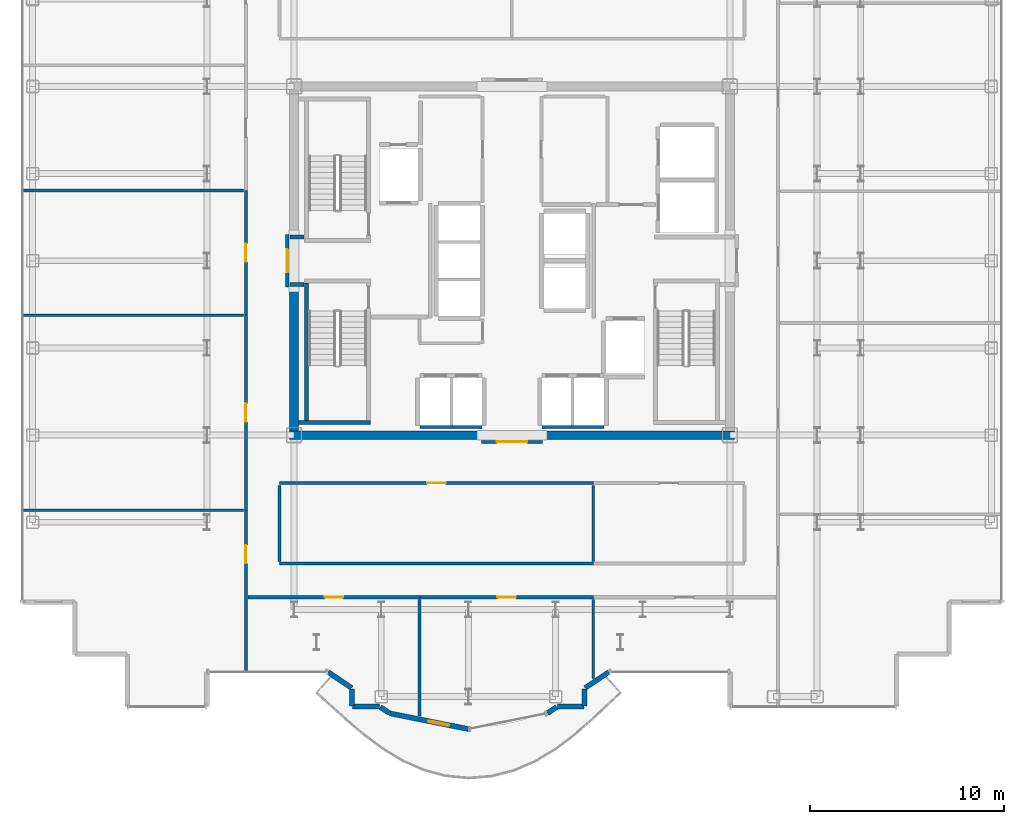
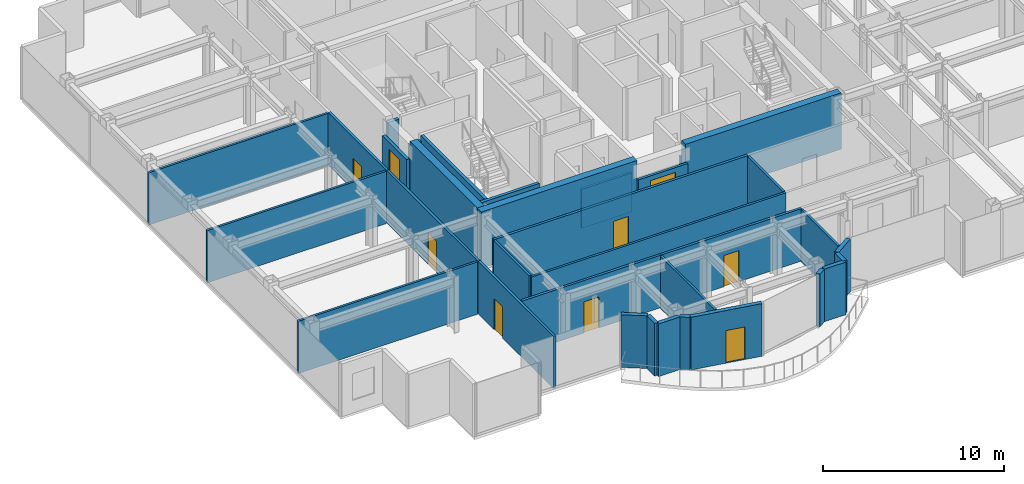
# One storey, part 14 of 20: 34 walls, 9 doors, 9 openings.
"""IFC4 building model written with IfcOpenShell, lengths in metres."""

from ifc_helpers import new_model, si_unit, direction, frame, frame_2d, origin, place, context, subcontext, project, spatial, rectangle, extrude, source, transform, mapped, material, layer, layer_set, type_object, element, fill, save


model = new_model("IFC4")

# Units and contexts
model_context = context("Model", 3, precision=1e-05, world=origin(), true_north=direction((0.0, 1.0)))
body_context = subcontext(model_context, "Body", "Model", "MODEL_VIEW")
ifc_project = project(units=[si_unit("LENGTHUNIT", "METRE"), si_unit("AREAUNIT", "SQUARE_METRE"), si_unit("VOLUMEUNIT", "CUBIC_METRE"), si_unit("PLANEANGLEUNIT", "RADIAN"), si_unit("MASSUNIT", "GRAM", prefix="KILO")], contexts=[model_context])

# Site, building, storey
site_placement = place(None, origin())
site = spatial("IfcSite", under=ifc_project, at=site_placement, CompositionType="ELEMENT")
building_placement = place(site_placement, origin())
building = spatial("IfcBuilding", under=site, at=building_placement, Name="Nefas-Gora Pilgrimage Tower", CompositionType="ELEMENT")
storey_placement = place(building_placement, frame((0.0, 0.0, 225.60009765625)))
storey = spatial("IfcBuildingStorey", under=building, at=storey_placement, Name="L56", CompositionType="ELEMENT", Elevation=225.60009765625)

# Walls
ifc_material_1 = material(Name="Concrete C50/60", Category="concrete")
ifc_layer_1 = layer(ifc_material_1, 0.449951171875)
ifc_layer_set_1 = layer_set([ifc_layer_1], Name="Concrete C50/60")
wall_type_1 = type_object("IfcWallType", Name="SW-CORE-450", PredefinedType="SHEAR", material=ifc_layer_set_1)
shared_shape_1 = source(origin(), body_context, "Body", "SweptSolid", [
    extrude(rectangle(XDim=9.925048828125, YDim=0.449951171875, at=frame_2d((4.96240234375, 0.0))), origin(), (0.0, 0.0, 1.0), 3.7998046875),
])
for number, where, z_axis, x_axis, name in (
    (1, (-11.47509765625, -9.0, 0.0), (0.0, 0.0, 1.0), (1.0, 0.0, 0.0), "L56 Core Shear Wall S-West"),
    (2, (1.550048828125, -9.0, 0.0), (0.0, 0.0, 1.0), (1.0, 0.0, 0.0), "L56 Core Shear Wall S-East"),
):
    element("IfcWall", number, at=place(storey_placement, frame(where, z_axis=z_axis, x_axis=x_axis)), inside=storey, type_object=wall_type_1, Name=name, PredefinedType="SHEAR", context=body_context, shape_type="MappedRepresentation", body=[
        mapped(shared_shape_1, transform((0.0, 0.0, 0.0), x_axis=(1.0, 0.0, 0.0), y_axis=(0.0, 1.0, 0.0), z_axis=(0.0, 0.0, 1.0), scale=1.0)),
    ])
shared_shape_2 = source(origin(), body_context, "Body", "SweptSolid", [
    extrude(rectangle(XDim=7.4248046875, YDim=0.449951171875, at=frame_2d((3.71240234375, 0.0))), origin(), (0.0, 0.0, 1.0), 3.7998046875),
])
wall_1_placement = place(storey_placement, frame((-11.25, -8.77490234375, 0.0), z_axis=(0.0, 0.0, 1.0), x_axis=(0.0, 1.0, 0.0)))
element("IfcWall", 3, at=wall_1_placement, inside=storey, type_object=wall_type_1, Name="L56 Core Shear Wall W-South", PredefinedType="SHEAR", context=body_context, shape_type="MappedRepresentation", body=[
    mapped(shared_shape_2, transform((0.0, 0.0, 0.0), x_axis=(1.0, 0.0, 0.0), y_axis=(0.0, 1.0, 0.0), z_axis=(0.0, 0.0, 1.0), scale=1.0)),
])
ifc_material_2 = material(Name="Precast concrete C40/50", Category="concrete")
ifc_layer_2 = layer(ifc_material_2, 0.260009765625)
ifc_layer_set_2 = layer_set([ifc_layer_2], Name="Precast concrete C40/50")
wall_type_2 = type_object("IfcWallType", Name="EW-PORTAL-260", PredefinedType="SOLIDWALL", material=ifc_layer_set_2)
shared_shape_3 = source(origin(), body_context, "Body", "SweptSolid", [
    extrude(rectangle(XDim=1.468994140625, YDim=0.260009765625, at=frame_2d((0.734375, 0.0))), origin(), (0.0, 0.0, 1.0), 3.5498046875),
])
for number, where, z_axis, x_axis, name in (
    (4, (-9.49462890625, -21.235595703125, 0.0), (0.0, 0.0, 1.0), (0.831461760506, -0.555581983884, 0.0), "L56 Lobe Shoulder Precast Spandrel Pier 30"),
    (5, (3.773193359375, -22.0517578125, 0.0), (0.0, 0.0, 1.0), (0.831461760506, 0.555581983884, 0.0), "L56 Lobe Shoulder Precast Spandrel Pier 38"),
):
    element("IfcWall", number, at=place(storey_placement, frame(where, z_axis=z_axis, x_axis=x_axis)), inside=storey, type_object=wall_type_2, Name=name, PredefinedType="SOLIDWALL", context=body_context, shape_type="MappedRepresentation", body=[
        mapped(shared_shape_3, transform((0.0, 0.0, 0.0), x_axis=(1.0, 0.0, 0.0), y_axis=(0.0, 1.0, 0.0), z_axis=(0.0, 0.0, 1.0), scale=1.0)),
    ])
shared_shape_4 = source(origin(), body_context, "Body", "SweptSolid", [
    extrude(rectangle(XDim=0.896728515625, YDim=0.260009765625, at=frame_2d((0.4482421875, 0.0))), origin(), (0.0, 0.0, 1.0), 3.5498046875),
])
for number, where, z_axis, x_axis, name in (
    (6, (-8.25, -22.09521484375, 0.0), (0.0, 0.0, 1.0), (0.0, -1.0, 0.0), "L56 Lobe Shoulder Precast Spandrel Pier 31"),
    (7, (3.75, -22.991943359375, 0.0), (0.0, 0.0, 1.0), (0.0, 1.0, 0.0), "L56 Lobe Shoulder Precast Spandrel Pier 37"),
):
    element("IfcWall", number, at=place(storey_placement, frame(where, z_axis=z_axis, x_axis=x_axis)), inside=storey, type_object=wall_type_2, Name=name, PredefinedType="SOLIDWALL", context=body_context, shape_type="MappedRepresentation", body=[
        mapped(shared_shape_4, transform((0.0, 0.0, 0.0), x_axis=(1.0, 0.0, 0.0), y_axis=(0.0, 1.0, 0.0), z_axis=(0.0, 0.0, 1.0), scale=1.0)),
    ])
shared_shape_5 = source(origin(), body_context, "Body", "SweptSolid", [
    extrude(rectangle(XDim=1.369873046875, YDim=0.260009765625, at=frame_2d((0.68505859375, 0.0))), origin(), (0.0, 0.0, 1.0), 3.5498046875),
])
for number, where, z_axis, x_axis, name in (
    (8, (-8.221923828125, -23.02001953125, 0.0), (0.0, 0.0, 1.0), (1.0, 0.0, 0.0), "L56 Lobe Shoulder Precast Spandrel Pier 32"),
    (9, (2.35205078125, -23.02001953125, 0.0), (0.0, 0.0, 1.0), (1.0, 0.0, 0.0), "L56 Lobe Shoulder Precast Spandrel Pier 36"),
):
    element("IfcWall", number, at=place(storey_placement, frame(where, z_axis=z_axis, x_axis=x_axis)), inside=storey, type_object=wall_type_2, Name=name, PredefinedType="SOLIDWALL", context=body_context, shape_type="MappedRepresentation", body=[
        mapped(shared_shape_5, transform((0.0, 0.0, 0.0), x_axis=(1.0, 0.0, 0.0), y_axis=(0.0, 1.0, 0.0), z_axis=(0.0, 0.0, 1.0), scale=1.0)),
    ])
shared_shape_6 = source(origin(), body_context, "Body", "SweptSolid", [
    extrude(rectangle(XDim=0.5654296875, YDim=0.260009765625, at=frame_2d((0.28271484375, 0.0))), origin(), (0.0, 0.0, 1.0), 3.5498046875),
])
for number, where, z_axis, x_axis, name in (
    (10, (-6.80078125, -23.03564453125, 0.0), (0.0, 0.0, 1.0), (0.831651492666, -0.555297933317, 0.0), "L56 Lobe Shoulder Precast Spandrel Pier 33"),
    (11, (1.83056640625, -23.349609375, 0.0), (0.0, 0.0, 1.0), (0.831651492666, 0.555297933317, 0.0), "L56 Lobe Shoulder Precast Spandrel Pier 35"),
):
    element("IfcWall", number, at=place(storey_placement, frame(where, z_axis=z_axis, x_axis=x_axis)), inside=storey, type_object=wall_type_2, Name=name, PredefinedType="SOLIDWALL", context=body_context, shape_type="MappedRepresentation", body=[
        mapped(shared_shape_6, transform((0.0, 0.0, 0.0), x_axis=(1.0, 0.0, 0.0), y_axis=(0.0, 1.0, 0.0), z_axis=(0.0, 0.0, 1.0), scale=1.0)),
    ])

# Wall, opening, door
shared_shape_7 = source(origin(), body_context, "Body", "SweptSolid", [
    extrude(rectangle(XDim=4.136962890625, YDim=0.260009765625, at=frame_2d((2.068359375, 0.0))), origin(), (0.0, 0.0, 1.0), 3.5498046875),
])
wall_2_placement = place(storey_placement, frame((-6.307373046875, -23.365234375, 0.0), z_axis=(0.0, 0.0, 1.0), x_axis=(0.980782170794, -0.195105954428, 0.0)))
wall_2 = element("IfcWall", 12, at=wall_2_placement, inside=storey, type_object=wall_type_2, Name="L56 Insulated Terrace Portal Wall 34", PredefinedType="SOLIDWALL", context=body_context, shape_type="MappedRepresentation", body=[
    mapped(shared_shape_7, transform((0.0, 0.0, 0.0), x_axis=(1.0, 0.0, 0.0), y_axis=(0.0, 1.0, 0.0), z_axis=(0.0, 0.0, 1.0), scale=1.0)),
])
opening_1_placement = place(wall_2_placement, frame((2.03369140625, 0.0, 0.0)))
opening_1 = element("IfcOpeningElement", 13, at=opening_1_placement, cuts=wall_2, Name="Opening ED-B1", PredefinedType="OPENING", context=body_context, shape_type="SweptSolid", body=[
    extrude(rectangle(XDim=1.10009765625, YDim=2.199951171875, at=frame_2d((0.550048828125, 1.10009765625))), frame((0.0, 0.139892578125, 0.0), z_axis=(0.0, -1.0, 0.0), x_axis=(1.0, 0.0, 0.0)), (0.0, 0.0, 1.0), 0.280029296875),
])
ifc_material_3 = material(Name="Thermally broken glazed aluminium balcony door", Category="aluminium")
door_type_1 = type_object("IfcDoorType", Name="DR-EXT-BAL-1100", OperationType="NOTDEFINED", PredefinedType="DOOR", material=ifc_material_3)
shared_shape_8 = source(origin(), body_context, "Body", "SweptSolid", [
    extrude(rectangle(XDim=1.10009765625, YDim=2.199951171875, at=frame_2d((0.550048828125, 1.10009765625))), frame((0.0, 0.02490234375, 0.0), z_axis=(0.0, -1.0, 0.0), x_axis=(1.0, 0.0, 0.0)), (0.0, 0.0, 1.0), 0.050048828125),
])
door_1_placement = place(opening_1_placement, origin())
door_1 = element("IfcDoor", 14, at=door_1_placement, inside=storey, type_object=door_type_1, Name="L56 Exterior Door (L56 S Lobe Wave Balcony)", OperationType="SINGLE_SWING_LEFT", OverallHeight=2.199951171875, OverallWidth=1.10009765625, PredefinedType="DOOR", context=body_context, shape_type="MappedRepresentation", body=[
    mapped(shared_shape_8, transform((0.0, 0.0, 0.0), x_axis=(1.0, 0.0, 0.0), y_axis=(0.0, 1.0, 0.0), z_axis=(0.0, 0.0, 1.0), scale=1.0)),
])
fill(opening_1, door_1)

# Walls
ifc_material_4 = material(Name="Concrete C45/55", Category="concrete")
ifc_layer_3 = layer(ifc_material_4, 0.199951171875)
ifc_layer_set_3 = layer_set([ifc_layer_3], Name="Concrete C45/55")
wall_type_3 = type_object("IfcWallType", Name="IW-STAIR-200", PredefinedType="SOLIDWALL", material=ifc_layer_set_3)
shared_shape_9 = source(origin(), body_context, "Body", "SweptSolid", [
    extrude(rectangle(XDim=7.10009765625, YDim=0.199951171875, at=frame_2d((3.550048828125, 0.0))), origin(), (0.0, 0.0, 1.0), 3.7998046875),
])
wall_3_placement = place(storey_placement, frame((-10.60009765625, -1.14990234375, 0.0), z_axis=(0.0, 0.0, 1.0), x_axis=(0.0, -1.0, 0.0)))
element("IfcWall", 15, at=wall_3_placement, inside=storey, type_object=wall_type_3, Name="L56 Stairwell Shear Wall ST-03-left", PredefinedType="SOLIDWALL", context=body_context, shape_type="MappedRepresentation", body=[
    mapped(shared_shape_9, transform((0.0, 0.0, 0.0), x_axis=(1.0, 0.0, 0.0), y_axis=(0.0, 1.0, 0.0), z_axis=(0.0, 0.0, 1.0), scale=1.0)),
])
shared_shape_10 = source(origin(), body_context, "Body", "SweptSolid", [
    extrude(rectangle(XDim=3.72998046875, YDim=0.199951171875, at=frame_2d((1.864990234375, 0.0))), origin(), (0.0, 0.0, 1.0), 3.7998046875),
])
wall_4_placement = place(storey_placement, frame((-11.030029296875, -8.35009765625, 0.0), z_axis=(0.0, 0.0, 1.0), x_axis=(1.0, 0.0, 0.0)))
element("IfcWall", 16, at=wall_4_placement, inside=storey, type_object=wall_type_3, Name="L56 Stairwell Shear Wall ST-03-far", PredefinedType="SOLIDWALL", context=body_context, shape_type="MappedRepresentation", body=[
    mapped(shared_shape_10, transform((0.0, 0.0, 0.0), x_axis=(1.0, 0.0, 0.0), y_axis=(0.0, 1.0, 0.0), z_axis=(0.0, 0.0, 1.0), scale=1.0)),
])
ifc_material_5 = material(Name="Gypsum acoustic stud partition")
ifc_layer_4 = layer(ifc_material_5, 0.159912109375)
ifc_layer_set_4 = layer_set([ifc_layer_4], Name="Gypsum acoustic stud partition")
wall_type_4 = type_object("IfcWallType", Name="IW-CORR-160", PredefinedType="PARTITIONING", material=ifc_layer_set_4)
shared_shape_11 = source(origin(), body_context, "Body", "SweptSolid", [
    extrude(rectangle(XDim=3.199951171875, YDim=0.159912109375, at=frame_2d((1.60009765625, 0.0))), origin(), (0.0, 0.0, 1.0), 2.625),
])
for number, where, z_axis, x_axis, name in (
    (17, (-4.75, -8.580078125, 0.0), (0.0, 0.0, 1.0), (1.0, 0.0, 0.0), "L56 Hoistway Wall PL2-W-S"),
    (18, (1.550048828125, -8.580078125, 0.0), (0.0, 0.0, 1.0), (1.0, 0.0, 0.0), "L56 Hoistway Wall PL2-E-S"),
):
    element("IfcWall", number, at=place(storey_placement, frame(where, z_axis=z_axis, x_axis=x_axis)), inside=storey, type_object=wall_type_4, Name=name, PredefinedType="PARTITIONING", context=body_context, shape_type="MappedRepresentation", body=[
        mapped(shared_shape_11, transform((0.0, 0.0, 0.0), x_axis=(1.0, 0.0, 0.0), y_axis=(0.0, 1.0, 0.0), z_axis=(0.0, 0.0, 1.0), scale=1.0)),
    ])
ifc_material_6 = material(Name="Gypsum fire-rated shaftwall")
ifc_layer_5 = layer(ifc_material_6, 0.199951171875)
ifc_layer_set_5 = layer_set([ifc_layer_5], Name="Gypsum fire-rated shaftwall")
wall_type_5 = type_object("IfcWallType", Name="IW-FFLOB-200", PredefinedType="PARTITIONING", material=ifc_layer_set_5)
shared_shape_12 = source(origin(), body_context, "Body", "SweptSolid", [
    extrude(rectangle(XDim=0.719970703125, YDim=0.199951171875, at=frame_2d((0.35986328125, 0.0))), origin(), (0.0, 0.0, 1.0), 3.534912109375),
])
for number, where, z_axis, x_axis, name in (
    (19, (-11.4599609375, 1.219970703125, 0.0), (0.0, 0.0, 1.0), (1.0, 0.0, 0.0), "L56 FF Lobby West Throat N Wall 7"),
    (20, (-11.4599609375, -1.219970703125, 0.0), (0.0, 0.0, 1.0), (1.0, 0.0, 0.0), "L56 FF Lobby West Throat S Wall 8"),
):
    element("IfcWall", number, at=place(storey_placement, frame(where, z_axis=z_axis, x_axis=x_axis)), inside=storey, type_object=wall_type_5, Name=name, PredefinedType="PARTITIONING", context=body_context, shape_type="MappedRepresentation", body=[
        mapped(shared_shape_12, transform((0.0, 0.0, 0.0), x_axis=(1.0, 0.0, 0.0), y_axis=(0.0, 1.0, 0.0), z_axis=(0.0, 0.0, 1.0), scale=1.0)),
    ])
ifc_material_7 = material(Name="Gypsum twin-stud partition")
ifc_layer_6 = layer(ifc_material_7, 0.139892578125)
ifc_layer_set_6 = layer_set([ifc_layer_6], Name="Gypsum twin-stud partition")
wall_type_6 = type_object("IfcWallType", Name="IW-UNIT-140", PredefinedType="PARTITIONING", material=ifc_layer_set_6)
shared_shape_13 = source(origin(), body_context, "Body", "SweptSolid", [
    extrude(rectangle(XDim=11.429931640625, YDim=0.139892578125, at=frame_2d((5.71484375, 0.0))), origin(), (0.0, 0.0, 1.0), 3.534912109375),
])
for number, where, z_axis, x_axis, name in (
    (21, (-25.2900390625, -12.87744140625, 0.0), (0.0, 0.0, 1.0), (1.0, 0.0, 0.0), "L56 Pilgrim Floor Concierge Foyer Partition Wall 29"),
    (22, (-25.2900390625, -2.804931640625, 0.0), (0.0, 0.0, 1.0), (1.0, 0.0, 0.0), "L56 Pilgrim Floor Concierge Foyer Partition Wall 30"),
    (23, (-25.2900390625, 3.63134765625, 0.0), (0.0, 0.0, 1.0), (1.0, 0.0, 0.0), "L56 Pilgrim Tea and Beverage Pantry Partition Wall 35"),
):
    element("IfcWall", number, at=place(storey_placement, frame(where, z_axis=z_axis, x_axis=x_axis)), inside=storey, type_object=wall_type_6, Name=name, PredefinedType="PARTITIONING", context=body_context, shape_type="MappedRepresentation", body=[
        mapped(shared_shape_13, transform((0.0, 0.0, 0.0), x_axis=(1.0, 0.0, 0.0), y_axis=(0.0, 1.0, 0.0), z_axis=(0.0, 0.0, 1.0), scale=1.0)),
    ])
shared_shape_14 = source(origin(), body_context, "Body", "SweptSolid", [
    extrude(rectangle(XDim=3.929931640625, YDim=0.139892578125, at=frame_2d((1.96484375, 0.0))), origin(), (0.0, 0.0, 1.0), 3.534912109375),
])
for number, where, z_axis, x_axis, name in (
    (24, (-12.0, -15.52001953125, 0.0), (0.0, 0.0, 1.0), (0.0, 1.0, 0.0), "L56 Pilgrim Contemplative Lounge Partition Wall 63"),
    (25, (4.195068359375, -15.52001953125, 0.0), (0.0, 0.0, 1.0), (0.0, 1.0, 0.0), "L56 Pilgrim Contemplative Lounge Partition Wall 64"),
):
    element("IfcWall", number, at=place(storey_placement, frame(where, z_axis=z_axis, x_axis=x_axis)), inside=storey, type_object=wall_type_6, Name=name, PredefinedType="PARTITIONING", context=body_context, shape_type="MappedRepresentation", body=[
        mapped(shared_shape_14, transform((0.0, 0.0, 0.0), x_axis=(1.0, 0.0, 0.0), y_axis=(0.0, 1.0, 0.0), z_axis=(0.0, 0.0, 1.0), scale=1.0)),
    ])

# Wall, opening, door
shared_shape_15 = source(origin(), body_context, "Body", "SweptSolid", [
    extrude(rectangle(XDim=2.7001953125, YDim=0.199951171875, at=frame_2d((1.35009765625, 0.0))), origin(), (0.0, 0.0, 1.0), 2.625),
])
wall_5_placement = place(storey_placement, frame((-11.60009765625, -1.35009765625, 0.0), z_axis=(0.0, 0.0, 1.0), x_axis=(0.0, 1.0, 0.0)))
wall_5 = element("IfcWall", 26, at=wall_5_placement, inside=storey, type_object=wall_type_5, Name="L56 FF Lobby West Portal Wall 4", PredefinedType="PARTITIONING", context=body_context, shape_type="MappedRepresentation", body=[
    mapped(shared_shape_15, transform((0.0, 0.0, 0.0), x_axis=(1.0, 0.0, 0.0), y_axis=(0.0, 1.0, 0.0), z_axis=(0.0, 0.0, 1.0), scale=1.0)),
])
opening_2_placement = place(wall_5_placement, frame((0.75, 0.0, 0.0)))
opening_2 = element("IfcOpeningElement", 27, at=opening_2_placement, cuts=wall_5, Name="Opening ID-FF1", PredefinedType="OPENING", context=body_context, shape_type="SweptSolid", body=[
    extrude(rectangle(XDim=1.199951171875, YDim=2.14990234375, at=frame_2d((0.60009765625, 1.074951171875))), frame((0.0, 0.10986328125, 0.0), z_axis=(0.0, -1.0, 0.0), x_axis=(1.0, 0.0, 0.0)), (0.0, 0.0, 1.0), 0.219970703125),
])
ifc_material_8 = material(Name="Smoke-sealed steel firefighting lobby door", Category="steel")
door_type_2 = type_object("IfcDoorType", Name="DR-INT-FFLOB-1200", OperationType="NOTDEFINED", PredefinedType="DOOR", material=ifc_material_8)
shared_shape_16 = source(origin(), body_context, "Body", "SweptSolid", [
    extrude(rectangle(XDim=1.199951171875, YDim=2.14990234375, at=frame_2d((0.60009765625, 1.074951171875))), frame((0.0, 0.02490234375, 0.0), z_axis=(0.0, -1.0, 0.0), x_axis=(1.0, 0.0, 0.0)), (0.0, 0.0, 1.0), 0.050048828125),
])
door_2_placement = place(opening_2_placement, origin())
door_2 = element("IfcDoor", 28, at=door_2_placement, inside=storey, type_object=door_type_2, Name="L56 FF Lobby West Portal Door 2", OperationType="SINGLE_SWING_RIGHT", OverallHeight=2.14990234375, OverallWidth=1.199951171875, PredefinedType="DOOR", context=body_context, shape_type="MappedRepresentation", body=[
    mapped(shared_shape_16, transform((0.0, 0.0, 0.0), x_axis=(1.0, 0.0, 0.0), y_axis=(0.0, 1.0, 0.0), z_axis=(0.0, 0.0, 1.0), scale=1.0)),
])
fill(opening_2, door_2)

shared_shape_17 = source(origin(), body_context, "Body", "SweptSolid", [
    extrude(rectangle(XDim=3.16015625, YDim=0.159912109375, at=frame_2d((1.580078125, 0.0))), origin(), (0.0, 0.0, 1.0), 2.625),
])
wall_6_placement = place(storey_placement, frame((-1.580078125, -9.35009765625, 0.0), z_axis=(0.0, 0.0, 1.0), x_axis=(1.0, 0.0, 0.0)))
wall_6 = element("IfcWall", 29, at=wall_6_placement, inside=storey, type_object=wall_type_4, Name="L56 Central Lift Lobby South Portal Wall 16", PredefinedType="PARTITIONING", context=body_context, shape_type="MappedRepresentation", body=[
    mapped(shared_shape_17, transform((0.0, 0.0, 0.0), x_axis=(1.0, 0.0, 0.0), y_axis=(0.0, 1.0, 0.0), z_axis=(0.0, 0.0, 1.0), scale=1.0)),
])
opening_3_placement = place(wall_6_placement, frame((0.780029296875, 0.0, 0.0)))
opening_3 = element("IfcOpeningElement", 30, at=opening_3_placement, cuts=wall_6, Name="Opening ID-HL1", PredefinedType="OPENING", context=body_context, shape_type="SweptSolid", body=[
    extrude(rectangle(XDim=1.60009765625, YDim=2.300048828125, at=frame_2d((0.800048828125, 1.14990234375))), frame((0.0, 0.08984375, 0.0), z_axis=(0.0, -1.0, 0.0), x_axis=(1.0, 0.0, 0.0)), (0.0, 0.0, 1.0), 0.179931640625),
])
ifc_material_9 = material(Name="Double acoustic timber assembly hall door", Category="wood")
door_type_3 = type_object("IfcDoorType", Name="DR-INT-HALL-1600", OperationType="DOUBLE_DOOR_SINGLE_SWING", PredefinedType="DOOR", material=ifc_material_9)
shared_shape_18 = source(origin(), body_context, "Body", "SweptSolid", [
    extrude(rectangle(XDim=1.60009765625, YDim=2.300048828125, at=frame_2d((0.800048828125, 1.14990234375))), frame((0.0, 0.02490234375, 0.0), z_axis=(0.0, -1.0, 0.0), x_axis=(1.0, 0.0, 0.0)), (0.0, 0.0, 1.0), 0.050048828125),
])
door_3_placement = place(opening_3_placement, origin())
door_3 = element("IfcDoor", 31, at=door_3_placement, inside=storey, type_object=door_type_3, Name="L56 Central Lift Lobby South Portal Door 6", OperationType="DOUBLE_DOOR_SINGLE_SWING", OverallHeight=2.300048828125, OverallWidth=1.60009765625, PredefinedType="DOOR", context=body_context, shape_type="MappedRepresentation", body=[
    mapped(shared_shape_18, transform((0.0, 0.0, 0.0), x_axis=(1.0, 0.0, 0.0), y_axis=(0.0, 1.0, 0.0), z_axis=(0.0, 0.0, 1.0), scale=1.0)),
])
fill(opening_3, door_3)

shared_shape_19 = source(origin(), body_context, "Body", "SweptSolid", [
    extrude(rectangle(XDim=10.092529296875, YDim=0.159912109375, at=frame_2d((5.04638671875, 0.0))), origin(), (0.0, 0.0, 1.0), 3.534912109375),
])
wall_7_placement = place(storey_placement, frame((-13.739990234375, -12.887451171875, 0.0), z_axis=(0.0, 0.0, 1.0), x_axis=(0.0, 1.0, 0.0)))
wall_7 = element("IfcWall", 32, at=wall_7_placement, inside=storey, type_object=wall_type_4, Name="L56 Pilgrim Floor Concierge Foyer Partition Wall 28", PredefinedType="PARTITIONING", context=body_context, shape_type="MappedRepresentation", body=[
    mapped(shared_shape_19, transform((0.0, 0.0, 0.0), x_axis=(1.0, 0.0, 0.0), y_axis=(0.0, 1.0, 0.0), z_axis=(0.0, 0.0, 1.0), scale=1.0)),
])
opening_4_placement = place(wall_7_placement, frame((4.5712890625, 0.0, 0.0)))
opening_4 = element("IfcOpeningElement", 33, at=opening_4_placement, cuts=wall_7, Name="Opening ID-GR1", PredefinedType="OPENING", context=body_context, shape_type="SweptSolid", body=[
    extrude(rectangle(XDim=0.949951171875, YDim=2.10009765625, at=frame_2d((0.47509765625, 1.050048828125))), frame((0.0, 0.08984375, 0.0), z_axis=(0.0, -1.0, 0.0), x_axis=(1.0, 0.0, 0.0)), (0.0, 0.0, 1.0), 0.179931640625),
])
ifc_material_10 = material(Name="Solid core oak fire-rated guest entrance door")
door_type_4 = type_object("IfcDoorType", Name="DR-INT-GUEST-950", OperationType="NOTDEFINED", PredefinedType="DOOR", material=ifc_material_10)
shared_shape_20 = source(origin(), body_context, "Body", "SweptSolid", [
    extrude(rectangle(XDim=0.949951171875, YDim=2.10009765625, at=frame_2d((0.47509765625, 1.050048828125))), frame((0.0, 0.02490234375, 0.0), z_axis=(0.0, -1.0, 0.0), x_axis=(1.0, 0.0, 0.0)), (0.0, 0.0, 1.0), 0.050048828125),
])
door_4_placement = place(opening_4_placement, origin())
door_4 = element("IfcDoor", 34, at=door_4_placement, inside=storey, type_object=door_type_4, Name="L56 Pilgrim Floor Concierge Foyer Door 11", OperationType="SINGLE_SWING_LEFT", OverallHeight=2.10009765625, OverallWidth=0.949951171875, PredefinedType="DOOR", context=body_context, shape_type="MappedRepresentation", body=[
    mapped(shared_shape_20, transform((0.0, 0.0, 0.0), x_axis=(1.0, 0.0, 0.0), y_axis=(0.0, 1.0, 0.0), z_axis=(0.0, 0.0, 1.0), scale=1.0)),
])
fill(opening_4, door_4)

shared_shape_21 = source(origin(), body_context, "Body", "SweptSolid", [
    extrude(rectangle(XDim=8.3525390625, YDim=0.159912109375, at=frame_2d((4.17626953125, 0.0))), origin(), (0.0, 0.0, 1.0), 3.534912109375),
])
wall_8_placement = place(storey_placement, frame((-13.739990234375, -21.239990234375, 0.0), z_axis=(0.0, 0.0, 1.0), x_axis=(0.0, 1.0, 0.0)))
wall_8 = element("IfcWall", 35, at=wall_8_placement, inside=storey, type_object=wall_type_4, Name="L56 Pilgrim Floor Concierge Foyer Partition Wall 31", PredefinedType="PARTITIONING", context=body_context, shape_type="MappedRepresentation", body=[
    mapped(shared_shape_21, transform((0.0, 0.0, 0.0), x_axis=(1.0, 0.0, 0.0), y_axis=(0.0, 1.0, 0.0), z_axis=(0.0, 0.0, 1.0), scale=1.0)),
])
opening_5_placement = place(wall_8_placement, frame((5.6162109375, 0.0, 0.0)))
opening_5 = element("IfcOpeningElement", 36, at=opening_5_placement, cuts=wall_8, Name="Opening ID-GR1", PredefinedType="OPENING", context=body_context, shape_type="SweptSolid", body=[
    extrude(rectangle(XDim=0.949951171875, YDim=2.10009765625, at=frame_2d((0.47509765625, 1.050048828125))), frame((0.0, 0.08984375, 0.0), z_axis=(0.0, -1.0, 0.0), x_axis=(1.0, 0.0, 0.0)), (0.0, 0.0, 1.0), 0.179931640625),
])
door_5_placement = place(opening_5_placement, origin())
door_5 = element("IfcDoor", 37, at=door_5_placement, inside=storey, type_object=door_type_4, Name="L56 Pilgrim Floor Concierge Foyer Door 12", OperationType="SINGLE_SWING_RIGHT", OverallHeight=2.10009765625, OverallWidth=0.949951171875, PredefinedType="DOOR", context=body_context, shape_type="MappedRepresentation", body=[
    mapped(shared_shape_20, transform((0.0, 0.0, 0.0), x_axis=(1.0, 0.0, 0.0), y_axis=(0.0, 1.0, 0.0), z_axis=(0.0, 0.0, 1.0), scale=1.0)),
])
fill(opening_5, door_5)

shared_shape_22 = source(origin(), body_context, "Body", "SweptSolid", [
    extrude(rectangle(XDim=6.4462890625, YDim=0.159912109375, at=frame_2d((3.22314453125, 0.0))), origin(), (0.0, 0.0, 1.0), 3.534912109375),
])
wall_9_placement = place(storey_placement, frame((-13.739990234375, -2.804931640625, 0.0), z_axis=(0.0, 0.0, 1.0), x_axis=(0.0, 1.0, 0.0)))
wall_9 = element("IfcWall", 38, at=wall_9_placement, inside=storey, type_object=wall_type_4, Name="L56 Pilgrim Tea and Beverage Pantry Partition Wall 34", PredefinedType="PARTITIONING", context=body_context, shape_type="MappedRepresentation", body=[
    mapped(shared_shape_22, transform((0.0, 0.0, 0.0), x_axis=(1.0, 0.0, 0.0), y_axis=(0.0, 1.0, 0.0), z_axis=(0.0, 0.0, 1.0), scale=1.0)),
])
opening_6_placement = place(wall_9_placement, frame((2.748291015625, 0.0, 0.0)))
opening_6 = element("IfcOpeningElement", 39, at=opening_6_placement, cuts=wall_9, Name="Opening ID-GR1", PredefinedType="OPENING", context=body_context, shape_type="SweptSolid", body=[
    extrude(rectangle(XDim=0.949951171875, YDim=2.10009765625, at=frame_2d((0.47509765625, 1.050048828125))), frame((0.0, 0.08984375, 0.0), z_axis=(0.0, -1.0, 0.0), x_axis=(1.0, 0.0, 0.0)), (0.0, 0.0, 1.0), 0.179931640625),
])
door_6_placement = place(opening_6_placement, origin())
door_6 = element("IfcDoor", 40, at=door_6_placement, inside=storey, type_object=door_type_4, Name="L56 Pilgrim Tea and Beverage Pantry Door 14", OperationType="SINGLE_SWING_RIGHT", OverallHeight=2.10009765625, OverallWidth=0.949951171875, PredefinedType="DOOR", context=body_context, shape_type="MappedRepresentation", body=[
    mapped(shared_shape_20, transform((0.0, 0.0, 0.0), x_axis=(1.0, 0.0, 0.0), y_axis=(0.0, 1.0, 0.0), z_axis=(0.0, 0.0, 1.0), scale=1.0)),
])
fill(opening_6, door_6)

shared_shape_23 = source(origin(), body_context, "Body", "SweptSolid", [
    extrude(rectangle(XDim=8.860107421875, YDim=0.159912109375, at=frame_2d((4.43017578125, 0.0))), origin(), (0.0, 0.0, 1.0), 3.534912109375),
])
wall_10_placement = place(storey_placement, frame((-13.6201171875, -17.3701171875, 0.0), z_axis=(0.0, 0.0, 1.0), x_axis=(1.0, 0.0, 0.0)))
wall_10 = element("IfcWall", 41, at=wall_10_placement, inside=storey, type_object=wall_type_4, Name="L56 Pilgrim Contemplative Lounge Partition Wall 57", PredefinedType="PARTITIONING", context=body_context, shape_type="MappedRepresentation", body=[
    mapped(shared_shape_23, transform((0.0, 0.0, 0.0), x_axis=(1.0, 0.0, 0.0), y_axis=(0.0, 1.0, 0.0), z_axis=(0.0, 0.0, 1.0), scale=1.0)),
])
opening_7_placement = place(wall_10_placement, frame((3.955078125, 0.0, 0.0)))
opening_7 = element("IfcOpeningElement", 42, at=opening_7_placement, cuts=wall_10, Name="Opening ID-GR1", PredefinedType="OPENING", context=body_context, shape_type="SweptSolid", body=[
    extrude(rectangle(XDim=0.949951171875, YDim=2.10009765625, at=frame_2d((0.47509765625, 1.050048828125))), frame((0.0, 0.08984375, 0.0), z_axis=(0.0, -1.0, 0.0), x_axis=(1.0, 0.0, 0.0)), (0.0, 0.0, 1.0), 0.179931640625),
])
door_7_placement = place(opening_7_placement, origin())
door_7 = element("IfcDoor", 43, at=door_7_placement, inside=storey, type_object=door_type_4, Name="L56 Pilgrim Contemplative Lounge Door 26", OperationType="SINGLE_SWING_RIGHT", OverallHeight=2.10009765625, OverallWidth=0.949951171875, PredefinedType="DOOR", context=body_context, shape_type="MappedRepresentation", body=[
    mapped(shared_shape_20, transform((0.0, 0.0, 0.0), x_axis=(1.0, 0.0, 0.0), y_axis=(0.0, 1.0, 0.0), z_axis=(0.0, 0.0, 1.0), scale=1.0)),
])
fill(opening_7, door_7)

# Wall
shared_shape_24 = source(origin(), body_context, "Body", "SweptSolid", [
    extrude(rectangle(XDim=6.008056640625, YDim=0.139892578125, at=frame_2d((3.00390625, 0.0))), origin(), (0.0, 0.0, 1.0), 3.534912109375),
])
wall_11_placement = place(storey_placement, frame((-4.77001953125, -23.498046875, 0.0), z_axis=(0.0, 0.0, 1.0), x_axis=(0.0, 1.0, 0.0)))
element("IfcWall", 44, at=wall_11_placement, inside=storey, type_object=wall_type_6, Name="L56 Pilgrim Contemplative Lounge Partition Wall 58", PredefinedType="PARTITIONING", context=body_context, shape_type="MappedRepresentation", body=[
    mapped(shared_shape_24, transform((0.0, 0.0, 0.0), x_axis=(1.0, 0.0, 0.0), y_axis=(0.0, 1.0, 0.0), z_axis=(0.0, 0.0, 1.0), scale=1.0)),
])

# Wall, opening, door
shared_shape_25 = source(origin(), body_context, "Body", "SweptSolid", [
    extrude(rectangle(XDim=8.965087890625, YDim=0.159912109375, at=frame_2d((4.482421875, 0.0))), origin(), (0.0, 0.0, 1.0), 3.534912109375),
])
wall_12_placement = place(storey_placement, frame((-4.760009765625, -17.3701171875, 0.0), z_axis=(0.0, 0.0, 1.0), x_axis=(1.0, 0.0, 0.0)))
wall_12 = element("IfcWall", 45, at=wall_12_placement, inside=storey, type_object=wall_type_4, Name="L56 Pilgrim Contemplative Lounge Partition Wall 59", PredefinedType="PARTITIONING", context=body_context, shape_type="MappedRepresentation", body=[
    mapped(shared_shape_25, transform((0.0, 0.0, 0.0), x_axis=(1.0, 0.0, 0.0), y_axis=(0.0, 1.0, 0.0), z_axis=(0.0, 0.0, 1.0), scale=1.0)),
])
opening_8_placement = place(wall_12_placement, frame((4.007568359375, 0.0, 0.0)))
opening_8 = element("IfcOpeningElement", 46, at=opening_8_placement, cuts=wall_12, Name="Opening ID-GR1", PredefinedType="OPENING", context=body_context, shape_type="SweptSolid", body=[
    extrude(rectangle(XDim=0.949951171875, YDim=2.10009765625, at=frame_2d((0.47509765625, 1.050048828125))), frame((0.0, 0.08984375, 0.0), z_axis=(0.0, -1.0, 0.0), x_axis=(1.0, 0.0, 0.0)), (0.0, 0.0, 1.0), 0.179931640625),
])
door_8_placement = place(opening_8_placement, origin())
door_8 = element("IfcDoor", 47, at=door_8_placement, inside=storey, type_object=door_type_4, Name="L56 Pilgrim Contemplative Lounge Door 27", OperationType="SINGLE_SWING_LEFT", OverallHeight=2.10009765625, OverallWidth=0.949951171875, PredefinedType="DOOR", context=body_context, shape_type="MappedRepresentation", body=[
    mapped(shared_shape_20, transform((0.0, 0.0, 0.0), x_axis=(1.0, 0.0, 0.0), y_axis=(0.0, 1.0, 0.0), z_axis=(0.0, 0.0, 1.0), scale=1.0)),
])
fill(opening_8, door_8)

# Wall
shared_shape_26 = source(origin(), body_context, "Body", "SweptSolid", [
    extrude(rectangle(XDim=4.077880859375, YDim=0.139892578125, at=frame_2d((2.0390625, 0.0))), origin(), (0.0, 0.0, 1.0), 3.534912109375),
])
wall_13_placement = place(storey_placement, frame((4.195068359375, -21.56787109375, 0.0), z_axis=(0.0, 0.0, 1.0), x_axis=(0.0, 1.0, 0.0)))
element("IfcWall", 48, at=wall_13_placement, inside=storey, type_object=wall_type_6, Name="L56 Pilgrim Contemplative Lounge Partition Wall 60", PredefinedType="PARTITIONING", context=body_context, shape_type="MappedRepresentation", body=[
    mapped(shared_shape_26, transform((0.0, 0.0, 0.0), x_axis=(1.0, 0.0, 0.0), y_axis=(0.0, 1.0, 0.0), z_axis=(0.0, 0.0, 1.0), scale=1.0)),
])

# Wall, opening, door
shared_shape_27 = source(origin(), body_context, "Body", "SweptSolid", [
    extrude(rectangle(XDim=16.215087890625, YDim=0.159912109375, at=frame_2d((8.107421875, 0.0))), origin(), (0.0, 0.0, 1.0), 3.534912109375),
])
wall_14_placement = place(storey_placement, frame((-12.010009765625, -11.469970703125, 0.0), z_axis=(0.0, 0.0, 1.0), x_axis=(1.0, 0.0, 0.0)))
wall_14 = element("IfcWall", 49, at=wall_14_placement, inside=storey, type_object=wall_type_4, Name="L56 Pilgrim Contemplative Lounge Partition Wall 61", PredefinedType="PARTITIONING", context=body_context, shape_type="MappedRepresentation", body=[
    mapped(shared_shape_27, transform((0.0, 0.0, 0.0), x_axis=(1.0, 0.0, 0.0), y_axis=(0.0, 1.0, 0.0), z_axis=(0.0, 0.0, 1.0), scale=1.0)),
])
opening_9_placement = place(wall_14_placement, frame((7.632568359375, 0.0, 0.0)))
opening_9 = element("IfcOpeningElement", 50, at=opening_9_placement, cuts=wall_14, Name="Opening ID-GR1", PredefinedType="OPENING", context=body_context, shape_type="SweptSolid", body=[
    extrude(rectangle(XDim=0.949951171875, YDim=2.10009765625, at=frame_2d((0.47509765625, 1.050048828125))), frame((0.0, 0.08984375, 0.0), z_axis=(0.0, -1.0, 0.0), x_axis=(1.0, 0.0, 0.0)), (0.0, 0.0, 1.0), 0.179931640625),
])
door_9_placement = place(opening_9_placement, origin())
door_9 = element("IfcDoor", 51, at=door_9_placement, inside=storey, type_object=door_type_4, Name="L56 Pilgrim Contemplative Lounge Door 28", OperationType="SINGLE_SWING_RIGHT", OverallHeight=2.10009765625, OverallWidth=0.949951171875, PredefinedType="DOOR", context=body_context, shape_type="MappedRepresentation", body=[
    mapped(shared_shape_20, transform((0.0, 0.0, 0.0), x_axis=(1.0, 0.0, 0.0), y_axis=(0.0, 1.0, 0.0), z_axis=(0.0, 0.0, 1.0), scale=1.0)),
])
fill(opening_9, door_9)

# Wall
shared_shape_28 = source(origin(), body_context, "Body", "SweptSolid", [
    extrude(rectangle(XDim=16.215087890625, YDim=0.139892578125, at=frame_2d((8.107421875, 0.0))), origin(), (0.0, 0.0, 1.0), 3.534912109375),
])
wall_15_placement = place(storey_placement, frame((-12.010009765625, -15.6298828125, 0.0), z_axis=(0.0, 0.0, 1.0), x_axis=(1.0, 0.0, 0.0)))
element("IfcWall", 52, at=wall_15_placement, inside=storey, type_object=wall_type_6, Name="L56 Pilgrim Contemplative Lounge Partition Wall 62", PredefinedType="PARTITIONING", context=body_context, shape_type="MappedRepresentation", body=[
    mapped(shared_shape_28, transform((0.0, 0.0, 0.0), x_axis=(1.0, 0.0, 0.0), y_axis=(0.0, 1.0, 0.0), z_axis=(0.0, 0.0, 1.0), scale=1.0)),
])

save(model, "model.ifc")
